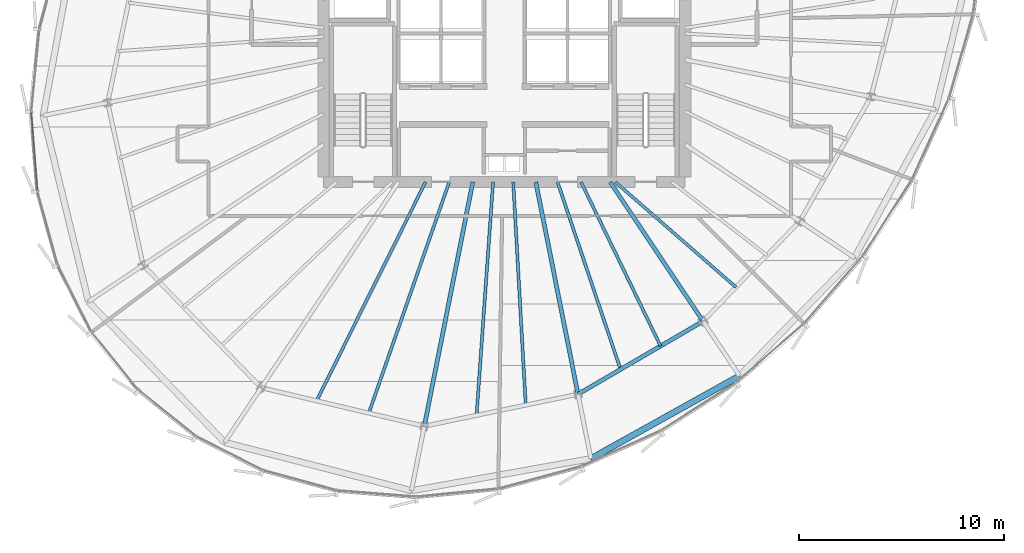
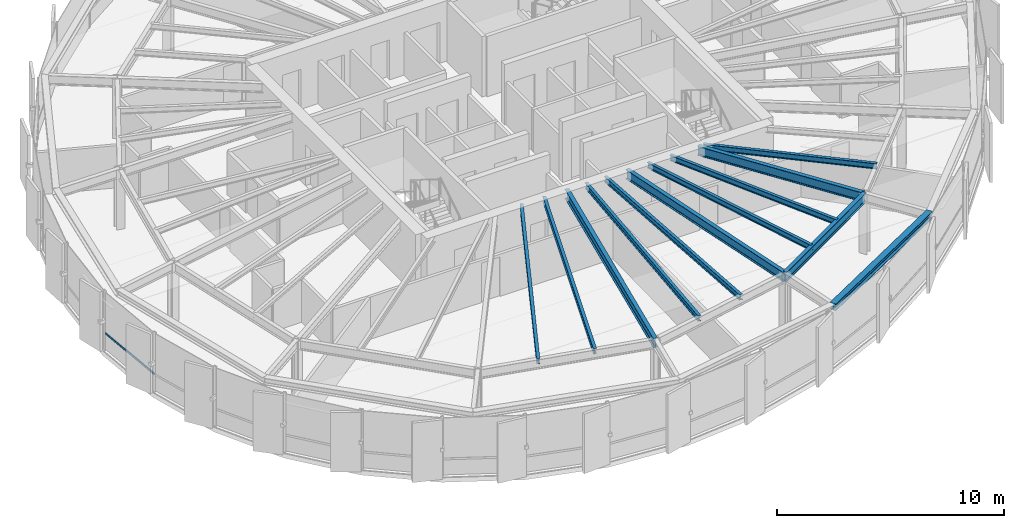
# One storey, part 7 of 34: 12 beams, 1 member, 1 element without a shape of its own.
"""IFC4 building model written with IfcOpenShell, lengths in metres."""

import ifcopenshell
import ifcopenshell.guid

model = None  # the IFC model being written
_history = None  # IfcOwnerHistory: only IFC2X3 demands one
_inside = {}  # id of a spatial element -> (the spatial element, [elements in it])
_under = {}  # id of a project, library or spatial element -> (it, [spatial elements below it])
_declared = {}  # id of a project -> (the project, [libraries it declares])
_typed = {}  # id of a type object -> (the type object, [elements of that type])
_made_of = {}  # id of a material, layer set ... -> (it, [elements and type objects made of it])


def new_model(schema):
    """Start an empty IFC model of exactly this schema.

    Asked for "IFC4X3", IfcOpenShell would pick the latest addendum, in which some entities
    have other attributes; the version numbers below select the first issue.
    IFC2X3 requires an IfcOwnerHistory on every rooted entity: one is made here for all.
    """
    global model, _history
    if schema == "IFC4X3":
        model = ifcopenshell.file(schema_version=(4, 3, 0, 0))
    else:
        model = ifcopenshell.file(schema=schema)
    _inside.clear()
    _under.clear()
    _declared.clear()
    _typed.clear()
    _made_of.clear()
    _history = None
    if model.schema == "IFC2X3":
        org = make("IfcOrganization", Name="unknown")
        user = make(
            "IfcPersonAndOrganization",
            ThePerson=make("IfcPerson", FamilyName="unknown"),
            TheOrganization=org,
        )
        app = make(
            "IfcApplication",
            ApplicationDeveloper=org,
            Version="unknown",
            ApplicationFullName="unknown",
            ApplicationIdentifier="unknown",
        )
        _history = make(
            "IfcOwnerHistory",
            OwningUser=user,
            OwningApplication=app,
            ChangeAction="ADDED",
            CreationDate=0,
        )
    return model


def make(cls, **values):
    """One entity of the class cls with the attributes given. An attribute that is None is left unset."""
    return model.create_entity(
        cls, **{name: value for name, value in values.items() if value is not None}
    )


def rooted(cls, **values):
    """An entity with a GlobalId (a new one), such as an element, a storey or a relation."""
    return make(cls, GlobalId=ifcopenshell.guid.new(), OwnerHistory=_history, **values)


def si_unit(unit_type, name, prefix=None):
    """IfcSIUnit, for example si_unit("LENGTHUNIT", "METRE", prefix="MILLI")."""
    return make("IfcSIUnit", UnitType=unit_type, Prefix=prefix, Name=name)


def assignment(units):
    """IfcUnitAssignment: the units of a project."""
    return None if units is None else make("IfcUnitAssignment", Units=units)


def point(xyz):
    """IfcCartesianPoint."""
    return None if xyz is None else make("IfcCartesianPoint", Coordinates=xyz)


def direction(xyz):
    """IfcDirection."""
    return None if xyz is None else make("IfcDirection", DirectionRatios=xyz)


def frame(location, z_axis=None, x_axis=None):
    """IfcAxis2Placement3D, a coordinate frame: its origin and axes. An axis left out is left unset."""
    return make(
        "IfcAxis2Placement3D",
        Location=point(location),
        Axis=direction(z_axis),
        RefDirection=direction(x_axis),
    )


def frame_2d(location, x_axis=None):
    """IfcAxis2Placement2D, a coordinate frame in the plane: its origin and x axis."""
    return make(
        "IfcAxis2Placement2D", Location=point(location), RefDirection=direction(x_axis)
    )


def origin():
    """The frame at (0, 0, 0) with its axes left unset."""
    return frame((0.0, 0.0, 0.0))


def origin_2d():
    """The frame at (0, 0) in the plane with its x axis left unset."""
    return frame_2d((0.0, 0.0))


def place(relative_to, where):
    """IfcLocalPlacement: puts the frame where relative to a parent placement (None: the world)."""
    return make(
        "IfcLocalPlacement", PlacementRelTo=relative_to, RelativePlacement=where
    )


def context(
    kind, dimensions, precision=None, world=None, true_north=None, identifier=None
):
    """IfcGeometricRepresentationContext, for example the 3D "Model" context."""
    return make(
        "IfcGeometricRepresentationContext",
        ContextIdentifier=identifier,
        ContextType=kind,
        CoordinateSpaceDimension=dimensions,
        Precision=precision,
        WorldCoordinateSystem=world,
        TrueNorth=true_north,
    )


def subcontext(parent, identifier, kind, view, scale=None):
    """IfcGeometricRepresentationSubContext, for example "Body" below "Model"."""
    return make(
        "IfcGeometricRepresentationSubContext",
        ContextIdentifier=identifier,
        ContextType=kind,
        ParentContext=parent,
        TargetScale=scale,
        TargetView=view,
    )


def project(units=None, contexts=None):
    """IfcProject with its units and contexts."""
    return rooted(
        "IfcProject",
        Name="project",
        RepresentationContexts=contexts,
        UnitsInContext=assignment(units),
    )


def spatial(cls, under=None, at=None, **own):
    """A site, building, storey or space (cls), placed at a placement, below another one or the project."""
    s = rooted(cls, ObjectPlacement=at, **own)
    if under is not None:
        _under.setdefault(under.id(), (under, []))[1].append(s)
    return s


def profile(cls, at=None, kind="AREA", **sizes):
    """A parametric profile (cls). Its sizes go by their IFC names, for example OverallWidth=200.0."""
    return make(cls, ProfileType=kind, Position=at, **sizes)


def hollow_rectangle(**sizes):
    """IfcRectangleHollowProfileDef."""
    return profile("IfcRectangleHollowProfileDef", **sizes)


def i_section(**sizes):
    """IfcIShapeProfileDef."""
    return profile("IfcIShapeProfileDef", **sizes)


def extrude(swept, where, along, depth):
    """IfcExtrudedAreaSolid: the profile swept, set in the frame where, extruded along a direction by depth."""
    return make(
        "IfcExtrudedAreaSolid",
        SweptArea=swept,
        Position=where,
        ExtrudedDirection=direction(along),
        Depth=depth,
    )


def shape(context_of_items, identifier, shape_type, items):
    """IfcShapeRepresentation: the items that make up one representation, for example the "Body"."""
    return make(
        "IfcShapeRepresentation",
        ContextOfItems=context_of_items,
        RepresentationIdentifier=identifier,
        RepresentationType=shape_type,
        Items=items,
    )


def source(mapping_origin, context_of_items, identifier, shape_type, items):
    """IfcRepresentationMap: a shape defined once, which mapped items show again and again."""
    return make(
        "IfcRepresentationMap",
        MappingOrigin=mapping_origin,
        MappedRepresentation=shape(context_of_items, identifier, shape_type, items),
    )


def transform(
    local_origin,
    x_axis=None,
    y_axis=None,
    z_axis=None,
    scale=None,
    scale2=None,
    scale3=None,
    uniform=True,
):
    """IfcCartesianTransformationOperator3D, or its non-uniform kind. x_axis, y_axis, z_axis: its Axis1, 2, 3."""
    if uniform:
        return make(
            "IfcCartesianTransformationOperator3D",
            Axis1=direction(x_axis),
            Axis2=direction(y_axis),
            LocalOrigin=point(local_origin),
            Scale=scale,
            Axis3=direction(z_axis),
        )
    return make(
        "IfcCartesianTransformationOperator3DnonUniform",
        Axis1=direction(x_axis),
        Axis2=direction(y_axis),
        LocalOrigin=point(local_origin),
        Scale=scale,
        Axis3=direction(z_axis),
        Scale2=scale2,
        Scale3=scale3,
    )


def mapped(mapping_source, mapping_target):
    """IfcMappedItem: shows the shape of a source again, moved by a transform."""
    return make(
        "IfcMappedItem", MappingSource=mapping_source, MappingTarget=mapping_target
    )


def material(Name=None, Category=None):
    """IfcMaterial."""
    return make("IfcMaterial", Name=Name, Category=Category)


def layer(
    of_material, thickness, ventilated=None, Name=None, Category=None, Priority=None
):
    """IfcMaterialLayer: one layer of a wall or slab, of a material (None: an air gap)."""
    return make(
        "IfcMaterialLayer",
        Material=of_material,
        LayerThickness=thickness,
        IsVentilated=ventilated,
        Name=Name,
        Category=Category,
        Priority=Priority,
    )


def layer_set(layers, Name=None):
    """IfcMaterialLayerSet."""
    return make("IfcMaterialLayerSet", MaterialLayers=layers, LayerSetName=Name)


def material_profile(
    of_material, cross_section, Name=None, Category=None, Priority=None
):
    """IfcMaterialProfile: a cross section and its material."""
    return make(
        "IfcMaterialProfile",
        Name=Name,
        Material=of_material,
        Profile=cross_section,
        Priority=Priority,
        Category=Category,
    )


def profile_set(profiles, Name=None, composite=None):
    """IfcMaterialProfileSet."""
    return make(
        "IfcMaterialProfileSet",
        Name=Name,
        MaterialProfiles=profiles,
        CompositeProfile=composite,
    )


def made_of(thing, what):
    """Note that an element or type object is made of a material, layer set ...; save() writes the relation."""
    if what is not None:
        _made_of.setdefault(what.id(), (what, []))[1].append(thing)
    return thing


def type_object(cls, material=None, **own):
    """A type object (cls), such as IfcWallType, which elements share."""
    return made_of(rooted(cls, **own), material)


def element(
    cls,
    number,
    at=None,
    inside=None,
    cuts=None,
    type_object=None,
    material=None,
    context=None,
    identifier="Body",
    shape_type=None,
    held_by="IfcProductDefinitionShape",
    body=None,
    shapes=None,
    **own,
):
    """One element of the class cls, such as IfcWall. Its Tag is "e" and its number.

    at: its placement. inside: the storey or other place that contains it. cuts: it is an
    opening in that element (IfcRelVoidsElement). A single representation is given by context,
    identifier, shape_type and body (its items); several are given by shapes. held_by: the class
    of the entity that holds the representations. save() writes the other relations.
    """
    e = rooted(cls, Tag="e%d" % number, ObjectPlacement=at, **own)
    if body is not None:
        shapes = [shape(context, identifier, shape_type, body)]
    if shapes is not None:
        e.Representation = make(held_by, Representations=shapes)
    if inside is not None:
        _inside.setdefault(inside.id(), (inside, []))[1].append(e)
    if cuts is not None:
        rooted(
            "IfcRelVoidsElement", RelatingBuildingElement=cuts, RelatedOpeningElement=e
        )
    if type_object is not None:
        _typed.setdefault(type_object.id(), (type_object, []))[1].append(e)
    return made_of(e, material)


def aggregate(whole, parts):
    """IfcRelAggregates: a whole, such as a stair, and the parts it consists of."""
    return rooted("IfcRelAggregates", RelatingObject=whole, RelatedObjects=parts)


def save(model, path):
    """Write the relations noted so far, then the file.

    IfcRelAggregates (storeys below a building ...), IfcRelContainedInSpatialStructure (elements
    in a storey), IfcRelDefinesByType, IfcRelAssociatesMaterial and IfcRelDeclares: one each for
    every whole, place, type object, material and project.
    """
    for whole, parts in _under.values():
        aggregate(whole, parts)
    for where, things in _inside.values():
        rooted(
            "IfcRelContainedInSpatialStructure",
            RelatedElements=things,
            RelatingStructure=where,
        )
    for kind, things in _typed.values():
        rooted("IfcRelDefinesByType", RelatedObjects=things, RelatingType=kind)
    for what, things in _made_of.values():
        rooted("IfcRelAssociatesMaterial", RelatedObjects=things, RelatingMaterial=what)
    for by, libraries in _declared.values():
        rooted("IfcRelDeclares", RelatingContext=by, RelatedDefinitions=libraries)
    model.write(path)


model = new_model("IFC4")

# Units and contexts
model_context = context("Model", 3, precision=1e-05, world=origin(), true_north=direction((0.0, 1.0)))
body_context = subcontext(model_context, "Body", "Model", "MODEL_VIEW")
ifc_project = project(units=[si_unit("LENGTHUNIT", "METRE"), si_unit("AREAUNIT", "SQUARE_METRE"), si_unit("VOLUMEUNIT", "CUBIC_METRE"), si_unit("PLANEANGLEUNIT", "RADIAN"), si_unit("MASSUNIT", "GRAM", prefix="KILO"), si_unit("THERMODYNAMICTEMPERATUREUNIT", "KELVIN")], contexts=[model_context])

# Site, building, storey
site_placement = place(None, origin())
site = spatial("IfcSite", under=ifc_project, at=site_placement, CompositionType="ELEMENT")
building_placement = place(site_placement, origin())
building = spatial("IfcBuilding", under=site, at=building_placement, Name="Kethvar Cultural Tower", CompositionType="ELEMENT")
storey_placement = place(building_placement, frame((0.0, 0.0, 214.89990234375)))
storey = spatial("IfcBuildingStorey", under=building, at=storey_placement, Name="L56", CompositionType="ELEMENT", Elevation=214.89990234375)

# Beams
ifc_material_1 = material(Name="Steel S355J2", Category="steel")
ifc_material_profile_1 = material_profile(ifc_material_1, i_section(OverallWidth=0.199951171875, OverallDepth=0.5, WebThickness=0.01025390625, FlangeThickness=0.01611328125, FilletRadius=0.02099609375, at=origin_2d()), Name="Steel S355J2 — IPE500")
ifc_profile_set_1 = profile_set([ifc_material_profile_1], Name="Steel S355J2 — IPE500")
beam_type_1 = type_object("IfcBeamType", Name="BM-IPE500", PredefinedType="BEAM", material=ifc_profile_set_1)
shared_shape_1 = source(origin(), body_context, "Body", "SweptSolid", [
    extrude(i_section(OverallWidth=0.199951171875, OverallDepth=0.5, WebThickness=0.01025390625, FlangeThickness=0.01611328125, FilletRadius=0.02099609375, at=origin_2d()), origin(), (0.0, 0.0, 1.0), 12.1220703125),
])
beam_1_placement = place(storey_placement, frame((45.268310546875, 20.10009765625, 2.988037109375), z_axis=(-0.195078030057, -0.980787725346, 0.0), x_axis=(0.980787725346, -0.195078030057, 0.0)))
element("IfcBeam", 1, at=beam_1_placement, inside=storey, type_object=beam_type_1, Name="L56 Primary Radial Beam RB-12", PredefinedType="BEAM", context=body_context, shape_type="MappedRepresentation", body=[
    mapped(shared_shape_1, transform((0.0, 0.0, 0.0), scale=1.0)),
])
shared_shape_2 = source(origin(), body_context, "Body", "SweptSolid", [
    extrude(i_section(OverallWidth=0.199951171875, OverallDepth=0.5, WebThickness=0.01025390625, FlangeThickness=0.01611328125, FilletRadius=0.02099609375, at=origin_2d()), origin(), (0.0, 0.0, 1.0), 10.533935546875),
])
beam_2_placement = place(storey_placement, frame((48.33154296875, 20.10009765625, 2.988037109375), z_axis=(0.19509982917, -0.980783389265, 0.0), x_axis=(0.980783389265, 0.19509982917, 0.0)))
element("IfcBeam", 2, at=beam_2_placement, inside=storey, type_object=beam_type_1, Name="L56 Primary Radial Beam RB-13", PredefinedType="BEAM", context=body_context, shape_type="MappedRepresentation", body=[
    mapped(shared_shape_2, transform((0.0, 0.0, 0.0), scale=1.0)),
])
shared_shape_3 = source(origin(), body_context, "Body", "SweptSolid", [
    extrude(i_section(OverallWidth=0.199951171875, OverallDepth=0.5, WebThickness=0.01025390625, FlangeThickness=0.01611328125, FilletRadius=0.02099609375, at=origin_2d()), origin(), (0.0, 0.0, 1.0), 8.1533203125),
])
beam_3_placement = place(storey_placement, frame((51.945068359375, 20.10009765625, 2.988037109375), z_axis=(0.555549853936, -0.831483228809, 0.0), x_axis=(0.831483228809, 0.555549853936, 0.0)))
element("IfcBeam", 3, at=beam_3_placement, inside=storey, type_object=beam_type_1, Name="L56 Primary Radial Beam RB-14", PredefinedType="BEAM", context=body_context, shape_type="MappedRepresentation", body=[
    mapped(shared_shape_3, transform((0.0, 0.0, 0.0), scale=1.0)),
])
ifc_material_profile_2 = material_profile(ifc_material_1, i_section(OverallWidth=0.14990234375, OverallDepth=0.300048828125, WebThickness=0.007080078125, FlangeThickness=0.0107421875, FilletRadius=0.014892578125, at=origin_2d()), Name="Steel S355J2 — IPE300")
ifc_profile_set_2 = profile_set([ifc_material_profile_2], Name="Steel S355J2 — IPE300")
beam_type_2 = type_object("IfcBeamType", Name="BM-J300", PredefinedType="JOIST", material=ifc_profile_set_2)
shared_shape_4 = source(origin(), body_context, "Body", "SweptSolid", [
    extrude(i_section(OverallWidth=0.14990234375, OverallDepth=0.300048828125, WebThickness=0.007080078125, FlangeThickness=0.0107421875, FilletRadius=0.014892578125, at=origin_2d()), origin(), (0.0, 0.0, 1.0), 11.900146484375),
])
beam_4_placement = place(storey_placement, frame((42.96630859375, 20.10009765625, 3.088134765625), z_axis=(-0.445686564233, -0.89518907861, 0.0), x_axis=(0.89518907861, -0.445686564233, 0.0)))
element("IfcBeam", 4, at=beam_4_placement, inside=storey, type_object=beam_type_2, Name="L56 Composite Floor Joist J-11A", PredefinedType="JOIST", context=body_context, shape_type="MappedRepresentation", body=[
    mapped(shared_shape_4, transform((0.0, 0.0, 0.0), scale=1.0)),
])
shared_shape_5 = source(origin(), body_context, "Body", "SweptSolid", [
    extrude(i_section(OverallWidth=0.14990234375, OverallDepth=0.300048828125, WebThickness=0.007080078125, FlangeThickness=0.0107421875, FilletRadius=0.014892578125, at=origin_2d()), origin(), (0.0, 0.0, 1.0), 11.914306640625),
])
beam_5_placement = place(storey_placement, frame((44.1201171875, 20.10009765625, 3.088134765625), z_axis=(-0.328722490218, -0.944426558513, 0.0), x_axis=(0.944426558513, -0.328722490218, 0.0)))
element("IfcBeam", 5, at=beam_5_placement, inside=storey, type_object=beam_type_2, Name="L56 Composite Floor Joist J-11B", PredefinedType="JOIST", context=body_context, shape_type="MappedRepresentation", body=[
    mapped(shared_shape_5, transform((0.0, 0.0, 0.0), scale=1.0)),
])
shared_shape_6 = source(origin(), body_context, "Body", "SweptSolid", [
    extrude(i_section(OverallWidth=0.14990234375, OverallDepth=0.300048828125, WebThickness=0.007080078125, FlangeThickness=0.0107421875, FilletRadius=0.014892578125, at=origin_2d()), origin(), (0.0, 0.0, 1.0), 11.38818359375),
])
beam_6_placement = place(storey_placement, frame((46.253662109375, 20.10009765625, 3.088134765625), z_axis=(-0.070767133242, -0.99749286356, 0.0), x_axis=(0.99749286356, -0.070767133242, 0.0)))
element("IfcBeam", 6, at=beam_6_placement, inside=storey, type_object=beam_type_2, Name="L56 Composite Floor Joist J-12A", PredefinedType="JOIST", context=body_context, shape_type="MappedRepresentation", body=[
    mapped(shared_shape_6, transform((0.0, 0.0, 0.0), scale=1.0)),
])
shared_shape_7 = source(origin(), body_context, "Body", "SweptSolid", [
    extrude(i_section(OverallWidth=0.14990234375, OverallDepth=0.300048828125, WebThickness=0.007080078125, FlangeThickness=0.0107421875, FilletRadius=0.014892578125, at=origin_2d()), origin(), (0.0, 0.0, 1.0), 10.878173828125),
])
beam_7_placement = place(storey_placement, frame((47.232421875, 20.10009765625, 3.088134765625), z_axis=(0.056062922639, -0.998427237562, 0.0), x_axis=(0.998427237562, 0.056062922639, 0.0)))
element("IfcBeam", 7, at=beam_7_placement, inside=storey, type_object=beam_type_2, Name="L56 Composite Floor Joist J-12B", PredefinedType="JOIST", context=body_context, shape_type="MappedRepresentation", body=[
    mapped(shared_shape_7, transform((0.0, 0.0, 0.0), scale=1.0)),
])
shared_shape_8 = source(origin(), body_context, "Body", "SweptSolid", [
    extrude(i_section(OverallWidth=0.199951171875, OverallDepth=0.5, WebThickness=0.01025390625, FlangeThickness=0.01611328125, FilletRadius=0.02099609375, at=origin_2d()), origin(), (0.0, 0.0, 1.0), 7.048583984375),
])
beam_8_placement = place(storey_placement, frame((50.38671875, 9.7685546875, 2.988037109375), z_axis=(0.863718593305, 0.503974395757, 0.0), x_axis=(-0.503974395757, 0.863718593305, 0.0)))
element("IfcBeam", 8, at=beam_8_placement, inside=storey, type_object=beam_type_1, Name="L56 Column Ring Tie Beam CR-13", PredefinedType="BEAM", context=body_context, shape_type="MappedRepresentation", body=[
    mapped(shared_shape_8, transform((0.0, 0.0, 0.0), scale=1.0)),
])
ifc_material_profile_3 = material_profile(ifc_material_1, i_section(OverallWidth=0.300048828125, OverallDepth=0.360107421875, WebThickness=0.012451171875, FlangeThickness=0.0224609375, FilletRadius=0.027099609375, at=origin_2d()), Name="Steel S355J2 — HEB360")
ifc_profile_set_3 = profile_set([ifc_material_profile_3], Name="Steel S355J2 — HEB360")
beam_type_3 = type_object("IfcBeamType", Name="BM-SP360", PredefinedType="SPANDREL", material=ifc_profile_set_3)
shared_shape_9 = source(origin(), body_context, "Body", "SweptSolid", [
    extrude(i_section(OverallWidth=0.300048828125, OverallDepth=0.360107421875, WebThickness=0.012451171875, FlangeThickness=0.0224609375, FilletRadius=0.027099609375, at=origin_2d()), origin(), (0.0, 0.0, 1.0), 8.287353515625),
])
beam_9_placement = place(storey_placement, frame((51.010986328125, 6.630126953125, 3.05810546875), z_axis=(0.873798521244, 0.486288128862, 0.0), x_axis=(-0.486288128862, 0.873798521244, 0.0)))
element("IfcBeam", 9, at=beam_9_placement, inside=storey, type_object=beam_type_3, Name="L56 Perimeter Spandrel Beam SP-13", PredefinedType="SPANDREL", context=body_context, shape_type="MappedRepresentation", body=[
    mapped(shared_shape_9, transform((0.0, 0.0, 0.0), scale=1.0)),
])
shared_shape_10 = source(origin(), body_context, "Body", "SweptSolid", [
    extrude(i_section(OverallWidth=0.14990234375, OverallDepth=0.300048828125, WebThickness=0.007080078125, FlangeThickness=0.0107421875, FilletRadius=0.014892578125, at=origin_2d()), origin(), (0.0, 0.0, 1.0), 9.625732421875),
])
beam_10_placement = place(storey_placement, frame((49.388916015625, 20.10009765625, 3.088134765625), z_axis=(0.31869202774, -0.947858318239, 0.0), x_axis=(0.947858318239, 0.31869202774, 0.0)))
element("IfcBeam", 10, at=beam_10_placement, inside=storey, type_object=beam_type_2, Name="L56 Composite Floor Joist J-13A", PredefinedType="JOIST", context=body_context, shape_type="MappedRepresentation", body=[
    mapped(shared_shape_10, transform((0.0, 0.0, 0.0), scale=1.0)),
])
shared_shape_11 = source(origin(), body_context, "Body", "SweptSolid", [
    extrude(i_section(OverallWidth=0.14990234375, OverallDepth=0.300048828125, WebThickness=0.007080078125, FlangeThickness=0.0107421875, FilletRadius=0.014892578125, at=origin_2d()), origin(), (0.0, 0.0, 1.0), 8.8759765625),
])
beam_11_placement = place(storey_placement, frame((50.532958984375, 20.10009765625, 3.088134765625), z_axis=(0.436210743691, -0.899844534955, 0.0), x_axis=(0.899844534955, 0.436210743691, 0.0)))
element("IfcBeam", 11, at=beam_11_placement, inside=storey, type_object=beam_type_2, Name="L56 Composite Floor Joist J-13B", PredefinedType="JOIST", context=body_context, shape_type="MappedRepresentation", body=[
    mapped(shared_shape_11, transform((0.0, 0.0, 0.0), scale=1.0)),
])
shared_shape_12 = source(origin(), body_context, "Body", "SweptSolid", [
    extrude(i_section(OverallWidth=0.14990234375, OverallDepth=0.300048828125, WebThickness=0.007080078125, FlangeThickness=0.0107421875, FilletRadius=0.014892578125, at=origin_2d()), origin(), (0.0, 0.0, 1.0), 7.7958984375),
])
beam_12_placement = place(storey_placement, frame((52.199951171875, 20.10009765625, 3.088134765625), z_axis=(0.753673681644, -0.657248797335, 0.0), x_axis=(0.657248797335, 0.753673681644, 0.0)))
element("IfcBeam", 12, at=beam_12_placement, inside=storey, type_object=beam_type_2, Name="L56 Composite Floor Joist J-14A", PredefinedType="JOIST", context=body_context, shape_type="MappedRepresentation", body=[
    mapped(shared_shape_12, transform((0.0, 0.0, 0.0), scale=1.0)),
])

# Curtain wall, member
ifc_material_2 = material(Name="Aluminium 6063-T6", Category="aluminium")
ifc_layer = layer(ifc_material_2, 0.179931640625, Name="Aluminium 6063-T6", Category="aluminium")
ifc_layer_set = layer_set([ifc_layer], Name="Aluminium 6063-T6 (180 mm)")
curtain_wall_type = type_object("IfcCurtainWallType", Name="CW-SYS-04-Z34", PredefinedType="NOTDEFINED", material=ifc_layer_set)
curtain_wall_placement = place(storey_placement, origin())
curtain_wall = element("IfcCurtainWall", 13, at=curtain_wall_placement, inside=storey, type_object=curtain_wall_type, Name="L56 Curtain Wall Run 03", PredefinedType="NOTDEFINED")
ifc_material_profile_4 = material_profile(ifc_material_2, hollow_rectangle(XDim=0.050048828125, YDim=0.10009765625, WallThickness=0.00390625, at=origin_2d()), Name="Aluminium 6063-T6 — RHS100x50x4")
ifc_profile_set_4 = profile_set([ifc_material_profile_4], Name="Aluminium 6063-T6 — RHS100x50x4")
member_type = type_object("IfcMemberType", Name="CW-SYS-04-Z34-TRN", PredefinedType="USERDEFINED", material=ifc_profile_set_4)
shared_shape_13 = source(origin(), body_context, "Body", "SweptSolid", [
    extrude(hollow_rectangle(XDim=0.050048828125, YDim=0.10009765625, WallThickness=0.00390625, at=origin_2d()), origin(), (0.0, 0.0, 1.0), 3.809326171875),
])
member_placement = place(storey_placement, frame((23.775146484375, 23.48681640625, 0.9501953125), z_axis=(0.078446035007, -0.996918361548, 0.0), x_axis=(0.996918361548, 0.078446035007, 0.0)))
member = element("IfcMember", 14, at=member_placement, type_object=member_type, Name="CW-L56-R03 Transom 3", ObjectType="TRANSOM", PredefinedType="USERDEFINED", context=body_context, shape_type="MappedRepresentation", body=[
    mapped(shared_shape_13, transform((0.0, 0.0, 0.0), scale=1.0)),
])
aggregate(curtain_wall, [member])

save(model, "model.ifc")
